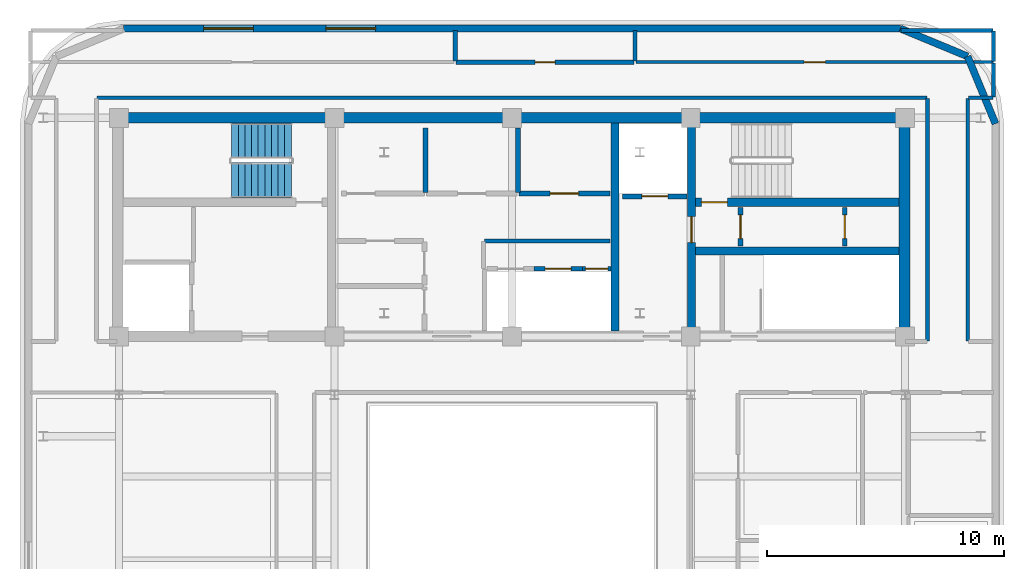
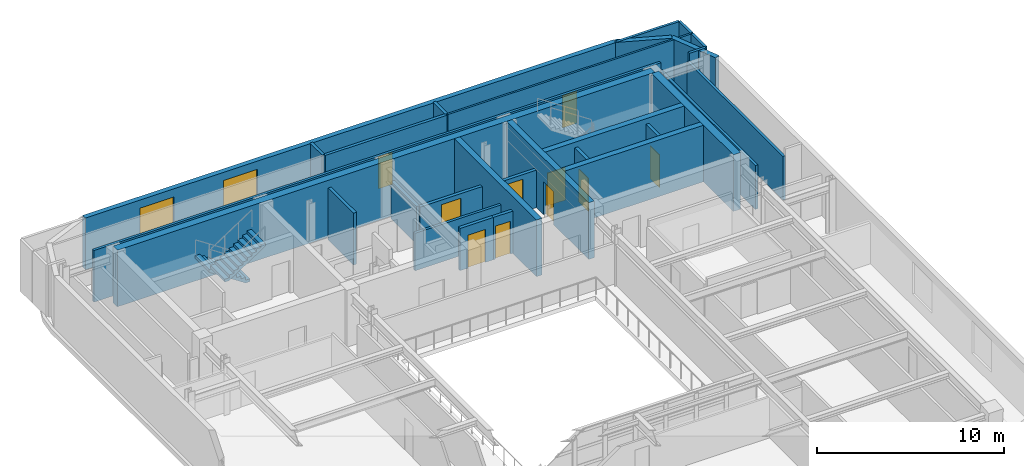
# One storey, part 8 of 11: 29 walls, 10 doors, 2 stair flights, 2 windows, 12 openings, 1 element without a shape of its own.
"""IFC4 building model written with IfcOpenShell, lengths in metres."""

from ifc_helpers import new_model, si_unit, direction, frame, frame_2d, origin, place, context, subcontext, project, spatial, polyline, rectangle, outline, extrude, material, layer, layer_set, type_object, element, fill, aggregate, save


model = new_model("IFC4")

# Units and contexts
model_context = context("Model", 3, precision=1e-05, world=origin(), true_north=direction((0.0, 1.0)))
body_context = subcontext(model_context, "Body", "Model", "MODEL_VIEW")
ifc_project = project(units=[si_unit("LENGTHUNIT", "METRE"), si_unit("AREAUNIT", "SQUARE_METRE"), si_unit("VOLUMEUNIT", "CUBIC_METRE"), si_unit("PLANEANGLEUNIT", "RADIAN"), si_unit("MASSUNIT", "GRAM", prefix="KILO")], contexts=[model_context])

# Site, building, storey
site_placement = place(None, origin())
site = spatial("IfcSite", under=ifc_project, at=site_placement, CompositionType="ELEMENT")
building_placement = place(site_placement, origin())
building = spatial("IfcBuilding", under=site, at=building_placement, Name="Zarnavel Station Tower", CompositionType="ELEMENT")
storey_placement = place(building_placement, frame((0.0, 0.0, 276.89990234375)))
storey = spatial("IfcBuildingStorey", under=building, at=storey_placement, Name="L75", CompositionType="ELEMENT", Elevation=276.89990234375)

# Wall
ifc_material_1 = material(Name="Concrete C50/60", Category="concrete")
ifc_layer_1 = layer(ifc_material_1, 0.35009765625)
ifc_layer_set_1 = layer_set([ifc_layer_1], Name="CW_350")
wall_type_1 = type_object("IfcWallType", Name="CW_350", PredefinedType="SHEAR", material=ifc_layer_set_1)
wall_1_placement = place(storey_placement, frame((33.14990234375, 28.044921875, 0.0), z_axis=(0.0, 0.0, 1.0), x_axis=(0.0, 1.0, 0.0)))
element("IfcWall", 1, at=wall_1_placement, inside=storey, type_object=wall_type_1, Name="L75 Rear Core Shear Wall DIV-E", PredefinedType="SHEAR", context=body_context, shape_type="SweptSolid", body=[
    extrude(rectangle(XDim=8.780029296875, YDim=0.35009765625, at=frame_2d((4.39013671875, 0.0))), origin(), (0.0, 0.0, 1.0), 3.7001953125),
])

# Wall, opening, door
wall_2_placement = place(storey_placement, frame((36.3798828125, 28.044921875, 0.0), z_axis=(0.0, 0.0, 1.0), x_axis=(0.0, 1.0, 0.0)))
wall_2 = element("IfcWall", 2, at=wall_2_placement, inside=storey, type_object=wall_type_1, Name="L75 Rear Core Shear Wall DIV-S2", PredefinedType="SHEAR", context=body_context, shape_type="SweptSolid", body=[
    extrude(rectangle(XDim=8.780029296875, YDim=0.35009765625, at=frame_2d((4.39013671875, 0.0))), origin(), (0.0, 0.0, 1.0), 3.7001953125),
])
opening_1_placement = place(wall_2_placement, frame((3.735107421875, 0.0, 0.0)))
opening_1 = element("IfcOpeningElement", 3, at=opening_1_placement, cuts=wall_2, Name="Opening FD01", PredefinedType="OPENING", context=body_context, shape_type="SweptSolid", body=[
    extrude(rectangle(XDim=1.10009765625, YDim=2.14990234375, at=frame_2d((0.550048828125, 1.074951171875))), frame((0.0, 0.18505859375, 0.0), z_axis=(0.0, -1.0, 0.0), x_axis=(1.0, 0.0, 0.0)), (0.0, 0.0, 1.0), 0.3701171875),
])
ifc_material_2 = material(Name="Painted Galvanised Steel and Hardwood Leaf", Category="steel")
door_type_1 = type_object("IfcDoorType", Name="ID_STAIR_1100", OperationType="NOTDEFINED", PredefinedType="DOOR", material=ifc_material_2)
door_1_placement = place(opening_1_placement, origin())
door_1 = element("IfcDoor", 4, at=door_1_placement, inside=storey, type_object=door_type_1, Name="L75 East Stair Vestibule Fire Door", OperationType="SINGLE_SWING_LEFT", OverallHeight=2.14990234375, OverallWidth=1.10009765625, PredefinedType="DOOR", context=body_context, shape_type="SweptSolid", body=[
    extrude(rectangle(XDim=1.10009765625, YDim=2.14990234375, at=frame_2d((0.550048828125, 1.074951171875))), frame((0.0, 0.02490234375, 0.0), z_axis=(0.0, -1.0, 0.0), x_axis=(1.0, 0.0, 0.0)), (0.0, 0.0, 1.0), 0.050048828125),
])
fill(opening_1, door_1)

wall_3_placement = place(storey_placement, frame((45.155029296875, 33.47998046875, 0.0), z_axis=(0.0, 0.0, 1.0), x_axis=(-1.0, 0.0, 0.0)))
wall_3 = element("IfcWall", 5, at=wall_3_placement, inside=storey, type_object=wall_type_1, Name="L75 Rear Core Shear Wall DIV-H2", PredefinedType="SHEAR", context=body_context, shape_type="SweptSolid", body=[
    extrude(rectangle(XDim=8.60009765625, YDim=0.35009765625, at=frame_2d((4.300048828125, 0.0))), origin(), (0.0, 0.0, 1.0), 3.7001953125),
])
opening_2_placement = place(wall_3_placement, frame((7.2548828125, 0.0, 0.0)))
opening_2 = element("IfcOpeningElement", 6, at=opening_2_placement, cuts=wall_3, Name="Opening FD01", PredefinedType="OPENING", context=body_context, shape_type="SweptSolid", body=[
    extrude(rectangle(XDim=1.10009765625, YDim=2.14990234375, at=frame_2d((0.550048828125, 1.074951171875))), frame((0.0, 0.18505859375, 0.0), z_axis=(0.0, -1.0, 0.0), x_axis=(1.0, 0.0, 0.0)), (0.0, 0.0, 1.0), 0.3701171875),
])
door_2_placement = place(opening_2_placement, origin())
door_2 = element("IfcDoor", 7, at=door_2_placement, inside=storey, type_object=door_type_1, Name="L75 Stair ST2 Lobby Fire Door", OperationType="SINGLE_SWING_RIGHT", OverallHeight=2.14990234375, OverallWidth=1.10009765625, PredefinedType="DOOR", context=body_context, shape_type="SweptSolid", body=[
    extrude(rectangle(XDim=1.10009765625, YDim=2.14990234375, at=frame_2d((0.550048828125, 1.074951171875))), frame((0.0, 0.02490234375, 0.0), z_axis=(0.0, -1.0, 0.0), x_axis=(1.0, 0.0, 0.0)), (0.0, 0.0, 1.0), 0.050048828125),
])
fill(opening_2, door_2)

# Walls
wall_4_placement = place(storey_placement, frame((36.554931640625, 31.419921875, 0.0), z_axis=(0.0, 0.0, 1.0), x_axis=(1.0, 0.0, 0.0)))
element("IfcWall", 8, at=wall_4_placement, inside=storey, type_object=wall_type_1, Name="L75 Rear Core Shear Wall DIV-H3", PredefinedType="SHEAR", context=body_context, shape_type="SweptSolid", body=[
    extrude(rectangle(XDim=8.60009765625, YDim=0.35009765625, at=frame_2d((4.300048828125, 0.0))), origin(), (0.0, 0.0, 1.0), 3.7001953125),
])
ifc_material_3 = material(Name="Concrete C50/60", Category="concrete")
ifc_layer_2 = layer(ifc_material_3, 0.449951171875)
ifc_layer_set_2 = layer_set([ifc_layer_2], Name="CW_450")
wall_type_2 = type_object("IfcWallType", Name="CW_450", PredefinedType="SHEAR", material=ifc_layer_set_2)
wall_5_placement = place(storey_placement, frame((12.14990234375, 37.050048828125, 0.0), z_axis=(0.0, 0.0, 1.0), x_axis=(1.0, 0.0, 0.0)))
element("IfcWall", 9, at=wall_5_placement, inside=storey, type_object=wall_type_2, Name="L75 Rear Core Shear Wall N", PredefinedType="SHEAR", context=body_context, shape_type="SweptSolid", body=[
    extrude(rectangle(XDim=33.22998046875, YDim=0.449951171875, at=frame_2d((16.614990234375, 0.0))), origin(), (0.0, 0.0, 1.0), 3.7001953125),
])
wall_6_placement = place(storey_placement, frame((45.3798828125, 28.044921875, 0.0), z_axis=(0.0, 0.0, 1.0), x_axis=(0.0, 1.0, 0.0)))
element("IfcWall", 10, at=wall_6_placement, inside=storey, type_object=wall_type_2, Name="L75 Rear Core Shear Wall E", PredefinedType="SHEAR", context=body_context, shape_type="SweptSolid", body=[
    extrude(rectangle(XDim=8.780029296875, YDim=0.449951171875, at=frame_2d((4.39013671875, 0.0))), origin(), (0.0, 0.0, 1.0), 3.7001953125),
])
ifc_material_4 = material(Name="Precast concrete C45/55 (Dark Basalt Finish)", Category="masonry")
ifc_layer_3 = layer(ifc_material_4, 0.300048828125)
ifc_layer_set_3 = layer_set([ifc_layer_3], Name="EW_BASALT_300")
wall_type_3 = type_object("IfcWallType", Name="EW_BASALT_300", PredefinedType="SOLIDWALL", material=ifc_layer_set_3)
for number, where, z_axis, x_axis, name in (
    (11, (48.04248046875, 39.642578125, 0.0), (0.0, 0.0, 1.0), (0.382704529509, -0.923870793506, 0.0), "L75 Exterior Basalt Masonry Frame Wall 04"),
    (12, (45.199951171875, 40.820068359375, 0.0), (0.0, 0.0, 1.0), (0.923870793506, -0.382704529509, 0.0), "L75 Exterior Basalt Masonry Frame Wall 05"),
):
    element("IfcWall", number, at=place(storey_placement, frame(where, z_axis=z_axis, x_axis=x_axis)), inside=storey, type_object=wall_type_3, Name=name, PredefinedType="SOLIDWALL", context=body_context, shape_type="SweptSolid", body=[
        extrude(rectangle(XDim=3.07666015625, YDim=0.300048828125, at=frame_2d((1.538330078125, 0.0))), origin(), (0.0, 0.0, 1.0), 3.380126953125),
    ])

# Wall, openings, windows
wall_7_placement = place(storey_placement, frame((12.39990234375, 40.820068359375, 0.0), z_axis=(0.0, 0.0, 1.0), x_axis=(1.0, 0.0, 0.0)))
wall_7 = element("IfcWall", 13, at=wall_7_placement, inside=storey, type_object=wall_type_3, Name="L75 Exterior Basalt Masonry Frame Wall 06", PredefinedType="SOLIDWALL", context=body_context, shape_type="SweptSolid", body=[
    extrude(rectangle(XDim=32.800048828125, YDim=0.300048828125, at=frame_2d((16.39990234375, 0.0))), origin(), (0.0, 0.0, 1.0), 3.380126953125),
])
opening_3_placement = place(wall_7_placement, frame((3.3798828125, 0.0, 0.75)))
opening_3 = element("IfcOpeningElement", 14, at=opening_3_placement, cuts=wall_7, Name="Opening WN05", PredefinedType="OPENING", context=body_context, shape_type="SweptSolid", body=[
    extrude(rectangle(XDim=2.10009765625, YDim=2.10009765625, at=frame_2d((1.050048828125, 1.050048828125))), frame((0.0, 0.159912109375, 0.0), z_axis=(0.0, -1.0, 0.0), x_axis=(1.0, 0.0, 0.0)), (0.0, 0.0, 1.0), 0.320068359375),
])
opening_4_placement = place(wall_7_placement, frame((8.5400390625, 0.0, 0.75)))
opening_4 = element("IfcOpeningElement", 15, at=opening_4_placement, cuts=wall_7, Name="Opening WN05", PredefinedType="OPENING", context=body_context, shape_type="SweptSolid", body=[
    extrude(rectangle(XDim=2.10009765625, YDim=2.10009765625, at=frame_2d((1.050048828125, 1.050048828125))), frame((0.0, 0.159912109375, 0.0), z_axis=(0.0, -1.0, 0.0), x_axis=(1.0, 0.0, 0.0)), (0.0, 0.0, 1.0), 0.320068359375),
])
ifc_material_5 = material(Name="Thermally Broken Black Aluminium and Low-E Dark Glass", Category="aluminium")
window_type = type_object("IfcWindowType", Name="WN_2100x2100", PartitioningType="TRIPLE_PANEL_VERTICAL", PredefinedType="WINDOW", material=ifc_material_5)
window_1_placement = place(opening_3_placement, origin())
window_1 = element("IfcWindow", 16, at=window_1_placement, inside=storey, type_object=window_type, Name="L75 Recessed Facade Window 01", OverallHeight=2.10009765625, OverallWidth=2.10009765625, PartitioningType="SINGLE_PANEL", PredefinedType="WINDOW", context=body_context, shape_type="SweptSolid", body=[
    extrude(rectangle(XDim=2.10009765625, YDim=2.10009765625, at=frame_2d((1.050048828125, 1.050048828125))), frame((0.0, 0.030029296875, 0.0), z_axis=(0.0, -1.0, 0.0), x_axis=(1.0, 0.0, 0.0)), (0.0, 0.0, 1.0), 0.06005859375),
])
fill(opening_3, window_1)
window_2_placement = place(opening_4_placement, origin())
window_2 = element("IfcWindow", 17, at=window_2_placement, inside=storey, type_object=window_type, Name="L75 Recessed Facade Window 02", OverallHeight=2.10009765625, OverallWidth=2.10009765625, PartitioningType="SINGLE_PANEL", PredefinedType="WINDOW", context=body_context, shape_type="SweptSolid", body=[
    extrude(rectangle(XDim=2.10009765625, YDim=2.10009765625, at=frame_2d((1.050048828125, 1.050048828125))), frame((0.0, 0.030029296875, 0.0), z_axis=(0.0, -1.0, 0.0), x_axis=(1.0, 0.0, 0.0)), (0.0, 0.0, 1.0), 0.06005859375),
])
fill(opening_4, window_2)

# Walls
ifc_material_6 = material(Name="Gypsum Twin-Stud Acoustic Fire Partition", Category="concrete")
ifc_layer_4 = layer(ifc_material_6, 0.159912109375)
ifc_layer_set_4 = layer_set([ifc_layer_4], Name="PT_DEMISE_160")
wall_type_4 = type_object("IfcWallType", Name="PT_DEMISE_160", PredefinedType="PARTITIONING", material=ifc_layer_set_4)
wall_8_placement = place(storey_placement, frame((27.6298828125, 31.85009765625, 0.0), z_axis=(0.0, 0.0, 1.0), x_axis=(1.0, 0.0, 0.0)))
element("IfcWall", 18, at=wall_8_placement, inside=storey, type_object=wall_type_4, Name="L75 Enclosure Wall LLOB", PredefinedType="PARTITIONING", context=body_context, shape_type="SweptSolid", body=[
    extrude(rectangle(XDim=5.31005859375, YDim=0.159912109375, at=frame_2d((2.655029296875, 0.0))), origin(), (0.0, 0.0, 1.0), 2.4501953125),
])
for number, where, z_axis, x_axis, name in (
    (19, (46.35009765625, 27.6298828125, 0.0), (0.0, 0.0, 1.0), (0.0, 1.0, 0.0), "L75 Enclosure Wall COR-E"),
    (20, (48.050048828125, 27.6298828125, 0.0), (0.0, 0.0, 1.0), (0.0, 1.0, 0.0), "L75 Enclosure Wall COR-E"),
):
    element("IfcWall", number, at=place(storey_placement, frame(where, z_axis=z_axis, x_axis=x_axis)), inside=storey, type_object=wall_type_4, Name=name, PredefinedType="PARTITIONING", context=body_context, shape_type="SweptSolid", body=[
        extrude(rectangle(XDim=10.240234375, YDim=0.159912109375, at=frame_2d((5.1201171875, 0.0))), origin(), (0.0, 0.0, 1.0), 2.860107421875),
    ])
wall_9_placement = place(storey_placement, frame((11.280029296875, 37.89990234375, 0.0), z_axis=(0.0, 0.0, 1.0), x_axis=(1.0, 0.0, 0.0)))
element("IfcWall", 21, at=wall_9_placement, inside=storey, type_object=wall_type_4, Name="L75 Enclosure Wall COR-N", PredefinedType="PARTITIONING", context=body_context, shape_type="SweptSolid", body=[
    extrude(rectangle(XDim=35.0400390625, YDim=0.159912109375, at=frame_2d((17.52001953125, 0.0))), origin(), (0.0, 0.0, 1.0), 3.380126953125),
])
wall_10_placement = place(storey_placement, frame((48.080078125, 37.89990234375, 0.0), z_axis=(0.0, 0.0, 1.0), x_axis=(1.0, 0.0, 0.0)))
element("IfcWall", 22, at=wall_10_placement, inside=storey, type_object=wall_type_4, Name="L75 Enclosure Wall COR-N", PredefinedType="PARTITIONING", context=body_context, shape_type="SweptSolid", body=[
    extrude(rectangle(XDim=1.030029296875, YDim=0.159912109375, at=frame_2d((0.51513671875, 0.0))), origin(), (0.0, 0.0, 1.0), 3.380126953125),
])
wall_11_placement = place(storey_placement, frame((49.139892578125, 37.929931640625, 0.0), z_axis=(0.0, 0.0, 1.0), x_axis=(0.0, 1.0, 0.0)))
element("IfcWall", 23, at=wall_11_placement, inside=storey, type_object=wall_type_4, Name="L75 Enclosure Wall COR-N", PredefinedType="PARTITIONING", context=body_context, shape_type="SweptSolid", body=[
    extrude(rectangle(XDim=1.440185546875, YDim=0.159912109375, at=frame_2d((0.72021484375, 0.0))), origin(), (0.0, 0.0, 1.0), 3.380126953125),
])
wall_12_placement = place(storey_placement, frame((45.22998046875, 40.739990234375, 0.0), z_axis=(0.0, 0.0, 1.0), x_axis=(1.0, 0.0, 0.0)))
element("IfcWall", 24, at=wall_12_placement, inside=storey, type_object=wall_type_4, Name="L75 Enclosure Wall NSTR", PredefinedType="PARTITIONING", context=body_context, shape_type="SweptSolid", body=[
    extrude(rectangle(XDim=3.880126953125, YDim=0.159912109375, at=frame_2d((1.93994140625, 0.0))), origin(), (0.0, 0.0, 1.0), 3.380126953125),
])
wall_13_placement = place(storey_placement, frame((49.139892578125, 39.429931640625, 0.0), z_axis=(0.0, 0.0, 1.0), x_axis=(0.0, 1.0, 0.0)))
element("IfcWall", 25, at=wall_13_placement, inside=storey, type_object=wall_type_4, Name="L75 Enclosure Wall NSTR", PredefinedType="PARTITIONING", context=body_context, shape_type="SweptSolid", body=[
    extrude(rectangle(XDim=1.280029296875, YDim=0.159912109375, at=frame_2d((0.64013671875, 0.0))), origin(), (0.0, 0.0, 1.0), 3.380126953125),
])

# Wall, opening, door
ifc_material_7 = material(Name="Gypsum Metal-Stud Interior Partition", Category="concrete")
ifc_layer_5 = layer(ifc_material_7, 0.1201171875)
ifc_layer_set_5 = layer_set([ifc_layer_5], Name="PT_ROOM_120")
wall_type_5 = type_object("IfcWallType", Name="PT_ROOM_120", PredefinedType="PARTITIONING", material=ifc_layer_set_5)
wall_14_placement = place(storey_placement, frame((34.0400390625, 39.39990234375, 0.0), z_axis=(0.0, 0.0, 1.0), x_axis=(1.0, 0.0, 0.0)))
wall_14 = element("IfcWall", 26, at=wall_14_placement, inside=storey, type_object=wall_type_5, Name="L75 Partition COR-N-NSTR", PredefinedType="PARTITIONING", context=body_context, shape_type="SweptSolid", body=[
    extrude(rectangle(XDim=15.099853515625, YDim=0.1201171875, at=frame_2d((7.5498046875, 0.0))), origin(), (0.0, 0.0, 1.0), 3.380126953125),
])
opening_5_placement = place(wall_14_placement, frame((7.10009765625, 0.0, 0.0)))
opening_5 = element("IfcOpeningElement", 27, at=opening_5_placement, cuts=wall_14, Name="Opening ID01", PredefinedType="OPENING", context=body_context, shape_type="SweptSolid", body=[
    extrude(rectangle(XDim=0.89990234375, YDim=2.10009765625, at=frame_2d((0.449951171875, 1.050048828125))), frame((0.0, 0.070068359375, 0.0), z_axis=(0.0, -1.0, 0.0), x_axis=(1.0, 0.0, 0.0)), (0.0, 0.0, 1.0), 0.14013671875),
])
ifc_material_8 = material(Name="Painted Galvanised Steel and Hardwood Leaf", Category="steel")
door_type_2 = type_object("IfcDoorType", Name="ID_ROOM_900", OperationType="NOTDEFINED", PredefinedType="DOOR", material=ifc_material_8)
door_3_placement = place(opening_5_placement, origin())
door_3 = element("IfcDoor", 28, at=door_3_placement, inside=storey, type_object=door_type_2, Name="L75 Door COR-N-NSTR", OperationType="SINGLE_SWING_LEFT", OverallHeight=2.10009765625, OverallWidth=0.89990234375, PredefinedType="DOOR", context=body_context, shape_type="SweptSolid", body=[
    extrude(rectangle(XDim=0.89990234375, YDim=2.10009765625, at=frame_2d((0.449951171875, 1.050048828125))), frame((0.0, 0.02490234375, 0.0), z_axis=(0.0, -1.0, 0.0), x_axis=(1.0, 0.0, 0.0)), (0.0, 0.0, 1.0), 0.050048828125),
])
fill(opening_5, door_3)

ifc_material_9 = material(Name="Precast concrete C45/55 (Fire Shaft Blockwork)", Category="masonry")
ifc_layer_6 = layer(ifc_material_9, 0.199951171875)
ifc_layer_set_6 = layer_set([ifc_layer_6], Name="PT_SHAFT_200")
wall_type_6 = type_object("IfcWallType", Name="PT_SHAFT_200", PredefinedType="PARTITIONING", material=ifc_layer_set_6)
wall_15_placement = place(storey_placement, frame((33.47509765625, 33.72998046875, 0.0), z_axis=(0.0, 0.0, 1.0), x_axis=(1.0, 0.0, 0.0)))
wall_15 = element("IfcWall", 29, at=wall_15_placement, inside=storey, type_object=wall_type_6, Name="L75 Lift FFL-02 Shaft Front Wall", PredefinedType="PARTITIONING", context=body_context, shape_type="SweptSolid", body=[
    extrude(rectangle(XDim=2.724853515625, YDim=0.199951171875, at=frame_2d((1.3623046875, 0.0))), origin(), (0.0, 0.0, 1.0), 2.4501953125),
])
opening_6_placement = place(wall_15_placement, frame((0.8125, 0.0, 0.0)))
opening_6 = element("IfcOpeningElement", 30, at=opening_6_placement, cuts=wall_15, Name="Opening LD01", PredefinedType="OPENING", context=body_context, shape_type="SweptSolid", body=[
    extrude(rectangle(XDim=1.10009765625, YDim=2.14990234375, at=frame_2d((0.550048828125, 1.074951171875))), frame((0.0, 0.10986328125, 0.0), z_axis=(0.0, -1.0, 0.0), x_axis=(1.0, 0.0, 0.0)), (0.0, 0.0, 1.0), 0.219970703125),
])
ifc_material_10 = material(Name="Painted Galvanised Steel and Hardwood Leaf", Category="steel")
door_type_3 = type_object("IfcDoorType", Name="LD_FF_1100", OperationType="DOUBLE_DOOR_SLIDING", PredefinedType="DOOR", material=ifc_material_10)
door_4_placement = place(opening_6_placement, origin())
door_4 = element("IfcDoor", 31, at=door_4_placement, inside=storey, type_object=door_type_3, Name="L75 Lift FFL-02 Sliding Landing Door", OperationType="DOUBLE_DOOR_SLIDING", OverallHeight=2.14990234375, OverallWidth=1.10009765625, PredefinedType="DOOR", context=body_context, shape_type="SweptSolid", body=[
    extrude(rectangle(XDim=1.10009765625, YDim=2.14990234375, at=frame_2d((0.550048828125, 1.074951171875))), frame((0.0, 0.02490234375, 0.0), z_axis=(0.0, -1.0, 0.0), x_axis=(1.0, 0.0, 0.0)), (0.0, 0.0, 1.0), 0.050048828125),
])
fill(opening_6, door_4)

wall_16_placement = place(storey_placement, frame((29.72509765625, 30.669921875, 0.0), z_axis=(0.0, 0.0, 1.0), x_axis=(1.0, 0.0, 0.0)))
wall_16 = element("IfcWall", 32, at=wall_16_placement, inside=storey, type_object=wall_type_6, Name="L75 Lift PL-H2 Shaft Front Wall", PredefinedType="PARTITIONING", context=body_context, shape_type="SweptSolid", body=[
    extrude(rectangle(XDim=2.0498046875, YDim=0.199951171875, at=frame_2d((1.02490234375, 0.0))), origin(), (0.0, 0.0, 1.0), 2.760009765625),
])
opening_7_placement = place(wall_16_placement, frame((0.47509765625, 0.0, 0.0)))
opening_7 = element("IfcOpeningElement", 33, at=opening_7_placement, cuts=wall_16, Name="Opening LD02", PredefinedType="OPENING", context=body_context, shape_type="SweptSolid", body=[
    extrude(rectangle(XDim=1.10009765625, YDim=2.14990234375, at=frame_2d((0.550048828125, 1.074951171875))), frame((0.0, 0.10986328125, 0.0), z_axis=(0.0, -1.0, 0.0), x_axis=(1.0, 0.0, 0.0)), (0.0, 0.0, 1.0), 0.219970703125),
])
ifc_material_11 = material(Name="Painted Galvanised Steel and Hardwood Leaf", Category="steel")
door_type_4 = type_object("IfcDoorType", Name="LD_PAX_1100", OperationType="DOUBLE_DOOR_SLIDING", PredefinedType="DOOR", material=ifc_material_11)
door_5_placement = place(opening_7_placement, origin())
door_5 = element("IfcDoor", 34, at=door_5_placement, inside=storey, type_object=door_type_4, Name="L75 Lift PL-H2 Sliding Landing Door", OperationType="DOUBLE_DOOR_SLIDING", OverallHeight=2.14990234375, OverallWidth=1.10009765625, PredefinedType="DOOR", context=body_context, shape_type="SweptSolid", body=[
    extrude(rectangle(XDim=1.10009765625, YDim=2.14990234375, at=frame_2d((0.550048828125, 1.074951171875))), frame((0.0, 0.02490234375, 0.0), z_axis=(0.0, -1.0, 0.0), x_axis=(1.0, 0.0, 0.0)), (0.0, 0.0, 1.0), 0.050048828125),
])
fill(opening_7, door_5)

wall_17_placement = place(storey_placement, frame((31.77490234375, 30.669921875, 0.0), z_axis=(0.0, 0.0, 1.0), x_axis=(1.0, 0.0, 0.0)))
wall_17 = element("IfcWall", 35, at=wall_17_placement, inside=storey, type_object=wall_type_6, Name="L75 Lift PL-H3 Shaft Front Wall", PredefinedType="PARTITIONING", context=body_context, shape_type="SweptSolid", body=[
    extrude(rectangle(XDim=1.2001953125, YDim=0.199951171875, at=frame_2d((0.60009765625, 0.0))), origin(), (0.0, 0.0, 1.0), 2.760009765625),
])
opening_8_placement = place(wall_17_placement, frame((0.125, 0.0, 0.0)))
opening_8 = element("IfcOpeningElement", 36, at=opening_8_placement, cuts=wall_17, Name="Opening LD03", PredefinedType="OPENING", context=body_context, shape_type="SweptSolid", body=[
    extrude(rectangle(XDim=0.949951171875, YDim=2.14990234375, at=frame_2d((0.47509765625, 1.074951171875))), frame((0.0, 0.10986328125, 0.0), z_axis=(0.0, -1.0, 0.0), x_axis=(1.0, 0.0, 0.0)), (0.0, 0.0, 1.0), 0.219970703125),
])
ifc_material_12 = material(Name="Painted Galvanised Steel and Hardwood Leaf", Category="steel")
door_type_5 = type_object("IfcDoorType", Name="LD_PAX_0950", OperationType="DOUBLE_DOOR_SLIDING", PredefinedType="DOOR", material=ifc_material_12)
door_6_placement = place(opening_8_placement, origin())
door_6 = element("IfcDoor", 37, at=door_6_placement, inside=storey, type_object=door_type_5, Name="L75 Lift PL-H3 Sliding Landing Door", OperationType="DOUBLE_DOOR_SLIDING", OverallHeight=2.14990234375, OverallWidth=0.949951171875, PredefinedType="DOOR", context=body_context, shape_type="SweptSolid", body=[
    extrude(rectangle(XDim=0.949951171875, YDim=2.14990234375, at=frame_2d((0.47509765625, 1.074951171875))), frame((0.0, 0.02490234375, 0.0), z_axis=(0.0, -1.0, 0.0), x_axis=(1.0, 0.0, 0.0)), (0.0, 0.0, 1.0), 0.050048828125),
])
fill(opening_8, door_6)

wall_18_placement = place(storey_placement, frame((38.449951171875, 31.639892578125, 0.0), z_axis=(0.0, 0.0, 1.0), x_axis=(0.0, 1.0, 0.0)))
wall_18 = element("IfcWall", 38, at=wall_18_placement, inside=storey, type_object=wall_type_6, Name="L75 Partition ESTV-CEA", PredefinedType="PARTITIONING", context=body_context, shape_type="SweptSolid", body=[
    extrude(rectangle(XDim=1.6201171875, YDim=0.199951171875, at=frame_2d((0.81005859375, 0.0))), origin(), (0.0, 0.0, 1.0), 3.380126953125),
])
opening_9_placement = place(wall_18_placement, frame((0.31005859375, 0.0, 0.0)))
opening_9 = element("IfcOpeningElement", 39, at=opening_9_placement, cuts=wall_18, Name="Opening FD02", PredefinedType="OPENING", context=body_context, shape_type="SweptSolid", body=[
    extrude(rectangle(XDim=1.0, YDim=2.14990234375, at=frame_2d((0.5, 1.074951171875))), frame((0.0, 0.10986328125, 0.0), z_axis=(0.0, -1.0, 0.0), x_axis=(1.0, 0.0, 0.0)), (0.0, 0.0, 1.0), 0.219970703125),
])
ifc_material_13 = material(Name="Painted Galvanised Steel and Hardwood Leaf", Category="steel")
door_type_6 = type_object("IfcDoorType", Name="ID_ENTRY_1000", OperationType="NOTDEFINED", PredefinedType="DOOR", material=ifc_material_13)
door_7_placement = place(opening_9_placement, origin())
door_7 = element("IfcDoor", 40, at=door_7_placement, inside=storey, type_object=door_type_6, Name="L75 Door ESTV-CEA", OperationType="SINGLE_SWING_RIGHT", OverallHeight=2.14990234375, OverallWidth=1.0, PredefinedType="DOOR", context=body_context, shape_type="SweptSolid", body=[
    extrude(rectangle(XDim=1.0, YDim=2.14990234375, at=frame_2d((0.5, 1.074951171875))), frame((0.0, 0.02490234375, 0.0), z_axis=(0.0, -1.0, 0.0), x_axis=(1.0, 0.0, 0.0)), (0.0, 0.0, 1.0), 0.050048828125),
])
fill(opening_9, door_7)

wall_19_placement = place(storey_placement, frame((42.85009765625, 31.639892578125, 0.0), z_axis=(0.0, 0.0, 1.0), x_axis=(0.0, 1.0, 0.0)))
wall_19 = element("IfcWall", 41, at=wall_19_placement, inside=storey, type_object=wall_type_6, Name="L75 Partition CEA-CEB", PredefinedType="PARTITIONING", context=body_context, shape_type="SweptSolid", body=[
    extrude(rectangle(XDim=1.6201171875, YDim=0.199951171875, at=frame_2d((0.81005859375, 0.0))), origin(), (0.0, 0.0, 1.0), 3.380126953125),
])
opening_10_placement = place(wall_19_placement, frame((0.31005859375, 0.0, 0.0)))
opening_10 = element("IfcOpeningElement", 42, at=opening_10_placement, cuts=wall_19, Name="Opening FD02", PredefinedType="OPENING", context=body_context, shape_type="SweptSolid", body=[
    extrude(rectangle(XDim=1.0, YDim=2.14990234375, at=frame_2d((0.5, 1.074951171875))), frame((0.0, 0.10986328125, 0.0), z_axis=(0.0, -1.0, 0.0), x_axis=(1.0, 0.0, 0.0)), (0.0, 0.0, 1.0), 0.219970703125),
])
door_8_placement = place(opening_10_placement, origin())
door_8 = element("IfcDoor", 43, at=door_8_placement, inside=storey, type_object=door_type_6, Name="L75 Door CEA-CEB", OperationType="SINGLE_SWING_LEFT", OverallHeight=2.14990234375, OverallWidth=1.0, PredefinedType="DOOR", context=body_context, shape_type="SweptSolid", body=[
    extrude(rectangle(XDim=1.0, YDim=2.14990234375, at=frame_2d((0.5, 1.074951171875))), frame((0.0, 0.02490234375, 0.0), z_axis=(0.0, -1.0, 0.0), x_axis=(1.0, 0.0, 0.0)), (0.0, 0.0, 1.0), 0.050048828125),
])
fill(opening_10, door_8)

wall_20_placement = place(storey_placement, frame((29.090087890625, 33.85009765625, 0.0), z_axis=(0.0, 0.0, 1.0), x_axis=(1.0, 0.0, 0.0)))
wall_20 = element("IfcWall", 44, at=wall_20_placement, inside=storey, type_object=wall_type_6, Name="L75 Partition LLOB-FB2C", PredefinedType="PARTITIONING", context=body_context, shape_type="SweptSolid", body=[
    extrude(rectangle(XDim=3.83984375, YDim=0.199951171875, at=frame_2d((1.919921875, 0.0))), origin(), (0.0, 0.0, 1.0), 2.4501953125),
])
opening_11_placement = place(wall_20_placement, frame((1.320068359375, 0.0, 0.0)))
opening_11 = element("IfcOpeningElement", 45, at=opening_11_placement, cuts=wall_20, Name="Opening FD03", PredefinedType="OPENING", context=body_context, shape_type="SweptSolid", body=[
    extrude(rectangle(XDim=1.199951171875, YDim=2.14990234375, at=frame_2d((0.60009765625, 1.074951171875))), frame((0.0, 0.10986328125, 0.0), z_axis=(0.0, -1.0, 0.0), x_axis=(1.0, 0.0, 0.0)), (0.0, 0.0, 1.0), 0.219970703125),
])
ifc_material_14 = material(Name="Painted Galvanised Steel and Hardwood Leaf", Category="steel")
door_type_7 = type_object("IfcDoorType", Name="ID_PLANT_1200", OperationType="NOTDEFINED", PredefinedType="DOOR", material=ifc_material_14)
door_9_placement = place(opening_11_placement, origin())
door_9 = element("IfcDoor", 46, at=door_9_placement, inside=storey, type_object=door_type_7, Name="L75 Door LLOB-FB2C", OperationType="SINGLE_SWING_LEFT", OverallHeight=2.14990234375, OverallWidth=1.199951171875, PredefinedType="DOOR", context=body_context, shape_type="SweptSolid", body=[
    extrude(rectangle(XDim=1.199951171875, YDim=2.14990234375, at=frame_2d((0.60009765625, 1.074951171875))), frame((0.0, 0.02490234375, 0.0), z_axis=(0.0, -1.0, 0.0), x_axis=(1.0, 0.0, 0.0)), (0.0, 0.0, 1.0), 0.050048828125),
])
fill(opening_11, door_9)

# Walls
wall_21_placement = place(storey_placement, frame((25.14990234375, 33.889892578125, 0.0), z_axis=(0.0, 0.0, 1.0), x_axis=(0.0, 1.0, 0.0)))
element("IfcWall", 47, at=wall_21_placement, inside=storey, type_object=wall_type_6, Name="L75 Partition FB2A-FB2B", PredefinedType="PARTITIONING", context=body_context, shape_type="SweptSolid", body=[
    extrude(rectangle(XDim=2.72021484375, YDim=0.199951171875, at=frame_2d((1.360107421875, 0.0))), origin(), (0.0, 0.0, 1.0), 3.380126953125),
])
wall_22_placement = place(storey_placement, frame((29.050048828125, 33.889892578125, 0.0), z_axis=(0.0, 0.0, 1.0), x_axis=(0.0, 1.0, 0.0)))
element("IfcWall", 48, at=wall_22_placement, inside=storey, type_object=wall_type_6, Name="L75 Partition FB2B-FB2C", PredefinedType="PARTITIONING", context=body_context, shape_type="SweptSolid", body=[
    extrude(rectangle(XDim=2.72021484375, YDim=0.199951171875, at=frame_2d((1.360107421875, 0.0))), origin(), (0.0, 0.0, 1.0), 2.4501953125),
])

# Wall, opening, door
ifc_material_15 = material(Name="Moisture-Resistant Plumbing Chase Wall", Category="concrete")
ifc_layer_7 = layer(ifc_material_15, 0.179931640625)
ifc_layer_set_7 = layer_set([ifc_layer_7], Name="PW_PLUMB_180")
wall_type_7 = type_object("IfcWallType", Name="PW_PLUMB_180", PredefinedType="PLUMBINGWALL", material=ifc_layer_set_7)
wall_23_placement = place(storey_placement, frame((26.43994140625, 39.39990234375, 0.0), z_axis=(0.0, 0.0, 1.0), x_axis=(1.0, 0.0, 0.0)))
wall_23 = element("IfcWall", 49, at=wall_23_placement, inside=storey, type_object=wall_type_7, Name="L75 Partition COR-N-NWC", PredefinedType="PLUMBINGWALL", context=body_context, shape_type="SweptSolid", body=[
    extrude(rectangle(XDim=7.52001953125, YDim=0.179931640625, at=frame_2d((3.760009765625, 0.0))), origin(), (0.0, 0.0, 1.0), 3.380126953125),
])
opening_12_placement = place(wall_23_placement, frame((3.3349609375, 0.0, 0.0)))
opening_12 = element("IfcOpeningElement", 50, at=opening_12_placement, cuts=wall_23, Name="Opening ID02", PredefinedType="OPENING", context=body_context, shape_type="SweptSolid", body=[
    extrude(rectangle(XDim=0.85009765625, YDim=2.10009765625, at=frame_2d((0.425048828125, 1.050048828125))), frame((0.0, 0.099853515625, 0.0), z_axis=(0.0, -1.0, 0.0), x_axis=(1.0, 0.0, 0.0)), (0.0, 0.0, 1.0), 0.199951171875),
])
ifc_material_16 = material(Name="Painted Galvanised Steel and Hardwood Leaf", Category="steel")
door_type_8 = type_object("IfcDoorType", Name="ID_BATH_850", OperationType="NOTDEFINED", PredefinedType="DOOR", material=ifc_material_16)
door_10_placement = place(opening_12_placement, origin())
door_10 = element("IfcDoor", 51, at=door_10_placement, inside=storey, type_object=door_type_8, Name="L75 Door COR-N-NWC", OperationType="SINGLE_SWING_RIGHT", OverallHeight=2.10009765625, OverallWidth=0.85009765625, PredefinedType="DOOR", context=body_context, shape_type="SweptSolid", body=[
    extrude(rectangle(XDim=0.85009765625, YDim=2.10009765625, at=frame_2d((0.425048828125, 1.050048828125))), frame((0.0, 0.02490234375, 0.0), z_axis=(0.0, -1.0, 0.0), x_axis=(1.0, 0.0, 0.0)), (0.0, 0.0, 1.0), 0.050048828125),
])
fill(opening_12, door_10)

# Walls
for number, where, z_axis, x_axis, name in (
    (52, (26.39990234375, 39.43994140625, 0.0), (0.0, 0.0, 1.0), (0.0, 1.0, 0.0), "L75 Partition NSTD-NWC"),
    (53, (34.0, 39.43994140625, 0.0), (0.0, 0.0, 1.0), (0.0, 1.0, 0.0), "L75 Partition NWC-NSTR"),
):
    element("IfcWall", number, at=place(storey_placement, frame(where, z_axis=z_axis, x_axis=x_axis)), inside=storey, type_object=wall_type_7, Name=name, PredefinedType="PLUMBINGWALL", context=body_context, shape_type="SweptSolid", body=[
        extrude(rectangle(XDim=1.300048828125, YDim=0.179931640625, at=frame_2d((0.64990234375, 0.0))), origin(), (0.0, 0.0, 1.0), 3.380126953125),
    ])

# Stair, stair flights
ifc_material_17 = material(Name="Concrete C45/55", Category="concrete")
stair_type = type_object("IfcStairType", Name="ST_CORE_150", PredefinedType="HALF_TURN_STAIR", material=ifc_material_17)
stair_placement = place(storey_placement, origin())
stair = element("IfcStair", 54, at=stair_placement, inside=storey, type_object=stair_type, Name="L75 Core Exit Stair ST1", PredefinedType="HALF_TURN_STAIR")
ifc_material_18 = material(Name="Concrete C45/55", Category="concrete")
ifc_layer_8 = layer(ifc_material_18, 0.179931640625)
ifc_layer_set_8 = layer_set([ifc_layer_8], Name="ST_CORE_150_FLT")
stair_flight_type = type_object("IfcStairFlightType", Name="ST_CORE_150_FLT", PredefinedType="STRAIGHT", material=ifc_layer_set_8)
stair_flight_1_placement = place(storey_placement, frame((19.47998046875, 36.070068359375, 0.0), z_axis=(0.0, 0.0, 1.0), x_axis=(-1.0, 0.0, 0.0)))
stair_flight_1 = element("IfcStairFlight", 55, at=stair_flight_1_placement, type_object=stair_flight_type, Name="ST1 flight 1", NumberOfRisers=10, NumberOfTreads=9, PredefinedType="STRAIGHT", RiserHeight=0.185, TreadLength=0.28, context=body_context, shape_type="SweptSolid", body=[
    extrude(outline(polyline([(0.0, 0.0), (0.0, 0.18505859375), (0.280029296875, 0.18505859375), (0.280029296875, 0.3701171875), (0.56005859375, 0.3701171875), (0.56005859375, 0.554931640625), (0.840087890625, 0.554931640625), (0.840087890625, 0.739990234375), (1.1201171875, 0.739990234375), (1.1201171875, 0.925048828125), (1.39990234375, 0.925048828125), (1.39990234375, 1.110107421875), (1.679931640625, 1.110107421875), (1.679931640625, 1.294921875), (1.9599609375, 1.294921875), (1.9599609375, 1.47998046875), (2.239990234375, 1.47998046875), (2.239990234375, 1.6650390625), (2.52001953125, 1.6650390625), (2.52001953125, 1.85009765625), (2.52001953125, 1.4853515625), (0.27197265625, 0.0), (0.0, 0.0)])), frame((0.0, 0.75, 0.0), z_axis=(0.0, -1.0, 0.0), x_axis=(1.0, 0.0, 0.0)), (0.0, 0.0, 1.0), 1.5),
])
stair_flight_2_placement = place(storey_placement, frame((16.9599609375, 34.409912109375, 1.85009765625), z_axis=(0.0, 0.0, 1.0), x_axis=(1.0, 0.0, 0.0)))
stair_flight_2 = element("IfcStairFlight", 56, at=stair_flight_2_placement, type_object=stair_flight_type, Name="ST1 flight 2", NumberOfRisers=10, NumberOfTreads=9, PredefinedType="STRAIGHT", RiserHeight=0.185, TreadLength=0.28, context=body_context, shape_type="SweptSolid", body=[
    extrude(outline(polyline([(0.0, 0.0), (0.0, 0.18505859375), (0.280029296875, 0.18505859375), (0.280029296875, 0.3701171875), (0.56005859375, 0.3701171875), (0.56005859375, 0.554931640625), (0.840087890625, 0.554931640625), (0.840087890625, 0.739990234375), (1.1201171875, 0.739990234375), (1.1201171875, 0.925048828125), (1.39990234375, 0.925048828125), (1.39990234375, 1.110107421875), (1.679931640625, 1.110107421875), (1.679931640625, 1.294921875), (1.9599609375, 1.294921875), (1.9599609375, 1.47998046875), (2.239990234375, 1.47998046875), (2.239990234375, 1.6650390625), (2.52001953125, 1.6650390625), (2.52001953125, 1.85009765625), (2.52001953125, 1.4853515625), (0.27197265625, 0.0), (0.0, 0.0)])), frame((0.0, 0.75, 0.0), z_axis=(0.0, -1.0, 0.0), x_axis=(1.0, 0.0, 0.0)), (0.0, 0.0, 1.0), 1.5),
])
aggregate(stair, [stair_flight_1, stair_flight_2])

save(model, "model.ifc")
